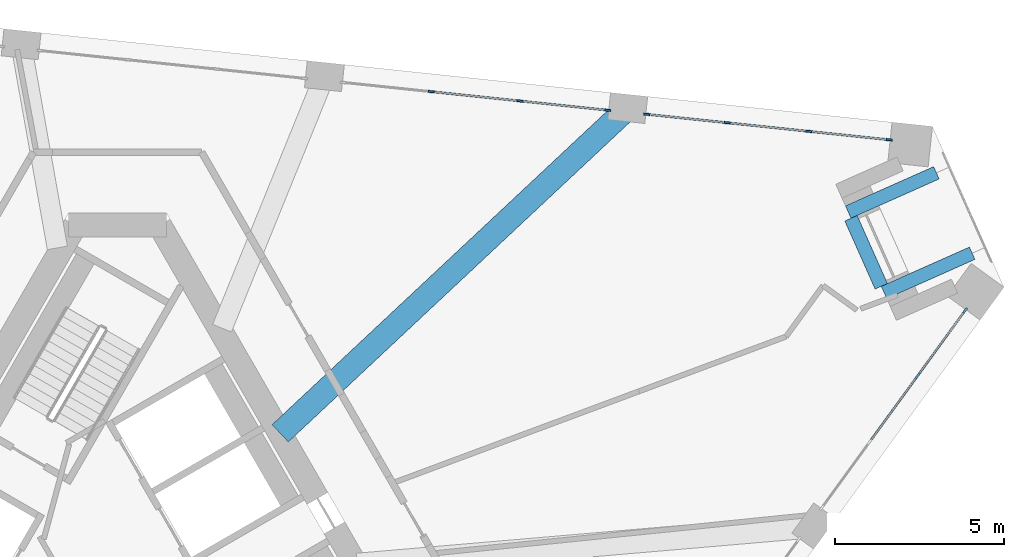
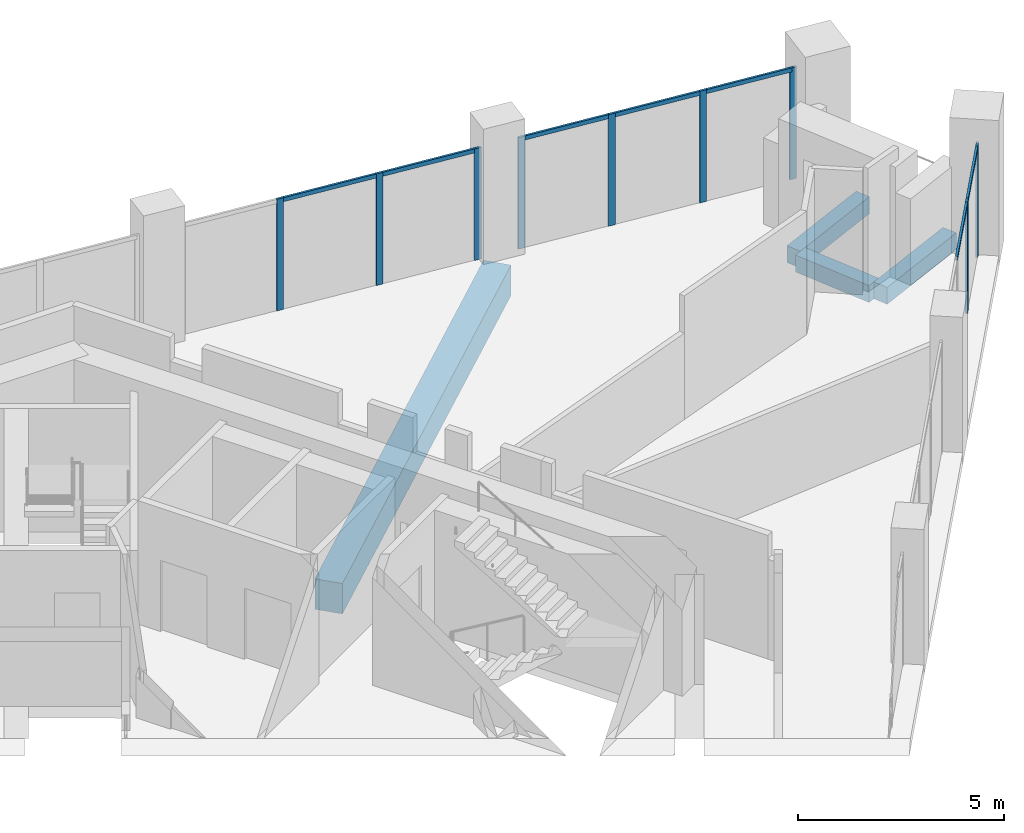
# One storey, part 6 of 15: 16 members, 4 beams, 3 elements without a shape of their own.
"""IFC4 building model written with IfcOpenShell, lengths in metres."""

from ifc_helpers import new_model, si_unit, direction, frame, origin, origin_2d, place, context, subcontext, project, spatial, rectangle, extrude, material, layer, layer_set, material_profile, profile_set, type_object, element, aggregate, save


model = new_model("IFC4")

# Units and contexts
model_context = context("Model", 3, precision=1e-05, world=origin(), true_north=direction((0.0, 1.0)))
body_context = subcontext(model_context, "Body", "Model", "MODEL_VIEW")
ifc_project = project(units=[si_unit("LENGTHUNIT", "METRE"), si_unit("AREAUNIT", "SQUARE_METRE"), si_unit("VOLUMEUNIT", "CUBIC_METRE"), si_unit("PLANEANGLEUNIT", "RADIAN"), si_unit("MASSUNIT", "GRAM", prefix="KILO")], contexts=[model_context])

# Site, building, storey
site_placement = place(None, origin())
site = spatial("IfcSite", under=ifc_project, at=site_placement, CompositionType="ELEMENT")
building_placement = place(site_placement, origin())
building = spatial("IfcBuilding", under=site, at=building_placement, Name="Tramontana Tower", CompositionType="ELEMENT")
storey_placement = place(building_placement, frame((0.0, 0.0, 237.199951171875)))
storey = spatial("IfcBuildingStorey", under=building, at=storey_placement, Name="L55", CompositionType="ELEMENT", Elevation=237.199951171875)

# Curtain wall, members
ifc_material_1 = material(Name="Aluminum extrusion", Category="aluminium")
ifc_layer = layer(ifc_material_1, 0.14990234375)
ifc_layer_set = layer_set([ifc_layer], Name="CW4 Sky lobby 2 curtain wall")
curtain_wall_type = type_object("IfcCurtainWallType", Name="CW4 Sky lobby 2 curtain wall", PredefinedType="NOTDEFINED", material=ifc_layer_set)
curtain_wall_1_placement = place(storey_placement, origin())
curtain_wall_1 = element("IfcCurtainWall", 1, at=curtain_wall_1_placement, inside=storey, type_object=curtain_wall_type, Name="CW4 curtain wall L55 face 1 bay 5", PredefinedType="NOTDEFINED")
ifc_material_2 = material(Name="Aluminum extrusion", Category="aluminium")
ifc_material_profile_1 = material_profile(ifc_material_2, rectangle(XDim=0.06005859375, YDim=0.179931640625, at=origin_2d()), Name="CW4-M Mullion 60 x 180")
ifc_profile_set_1 = profile_set([ifc_material_profile_1], Name="Aluminum extrusion")
member_type_1 = type_object("IfcMemberType", Name="CW4-M Mullion 60 x 180", PredefinedType="MULLION", material=ifc_profile_set_1)
member_1_placement = place(storey_placement, frame((23.62744140625, 6.192626953125, 0.0), z_axis=(0.0, 0.0, 1.0), x_axis=(-0.809016994375, 0.587785252292, 0.0)))
member_1 = element("IfcMember", 2, at=member_1_placement, type_object=member_type_1, Name="CW4 curtain wall L55 face 1 bay 5 mullion 3", PredefinedType="MULLION", context=body_context, shape_type="SweptSolid", body=[
    extrude(rectangle(XDim=0.06005859375, YDim=0.179931640625, at=origin_2d()), origin(), (0.0, 0.0, 1.0), 3.300048828125),
])
member_2_placement = place(storey_placement, frame((25.031494140625, 8.125244140625, 0.0), z_axis=(0.0, 0.0, 1.0), x_axis=(-0.809016994375, 0.587785252292, 0.0)))
member_2 = element("IfcMember", 3, at=member_2_placement, type_object=member_type_1, Name="CW4 curtain wall L55 face 1 bay 5 mullion 4", PredefinedType="MULLION", context=body_context, shape_type="SweptSolid", body=[
    extrude(rectangle(XDim=0.06005859375, YDim=0.179931640625, at=origin_2d()), origin(), (0.0, 0.0, 1.0), 3.300048828125),
])

curtain_wall_2_placement = place(storey_placement, origin())
curtain_wall_2 = element("IfcCurtainWall", 4, at=curtain_wall_2_placement, inside=storey, type_object=curtain_wall_type, Name="CW4 curtain wall L55 face 2 bay 1", PredefinedType="NOTDEFINED")
member_3_placement = place(storey_placement, frame((22.78759765625, 13.165283203125, 0.0), z_axis=(0.0, 0.0, 1.0), x_axis=(-0.104528463268, -0.994521895368, 0.0)))
member_3 = element("IfcMember", 5, at=member_3_placement, type_object=member_type_1, Name="CW4 curtain wall L55 face 2 bay 1 mullion 1", PredefinedType="MULLION", context=body_context, shape_type="SweptSolid", body=[
    extrude(rectangle(XDim=0.06005859375, YDim=0.179931640625, at=origin_2d()), origin(), (0.0, 0.0, 1.0), 3.300048828125),
])
member_4_placement = place(storey_placement, frame((20.411865234375, 13.414794921875, 0.0), z_axis=(0.0, 0.0, 1.0), x_axis=(-0.104528463268, -0.994521895368, 0.0)))
member_4 = element("IfcMember", 6, at=member_4_placement, type_object=member_type_1, Name="CW4 curtain wall L55 face 2 bay 1 mullion 2", PredefinedType="MULLION", context=body_context, shape_type="SweptSolid", body=[
    extrude(rectangle(XDim=0.06005859375, YDim=0.179931640625, at=origin_2d()), origin(), (0.0, 0.0, 1.0), 3.300048828125),
])
member_5_placement = place(storey_placement, frame((18.006103515625, 13.667724609375, 0.0), z_axis=(0.0, 0.0, 1.0), x_axis=(-0.104528463268, -0.994521895368, 0.0)))
member_5 = element("IfcMember", 7, at=member_5_placement, type_object=member_type_1, Name="CW4 curtain wall L55 face 2 bay 1 mullion 3", PredefinedType="MULLION", context=body_context, shape_type="SweptSolid", body=[
    extrude(rectangle(XDim=0.06005859375, YDim=0.179931640625, at=origin_2d()), origin(), (0.0, 0.0, 1.0), 3.300048828125),
])
member_6_placement = place(storey_placement, frame((15.63037109375, 13.91748046875, 0.0), z_axis=(0.0, 0.0, 1.0), x_axis=(-0.104528463268, -0.994521895368, 0.0)))
member_6 = element("IfcMember", 8, at=member_6_placement, type_object=member_type_1, Name="CW4 curtain wall L55 face 2 bay 1 mullion 4", PredefinedType="MULLION", context=body_context, shape_type="SweptSolid", body=[
    extrude(rectangle(XDim=0.06005859375, YDim=0.179931640625, at=origin_2d()), origin(), (0.0, 0.0, 1.0), 3.300048828125),
])

curtain_wall_3_placement = place(storey_placement, origin())
curtain_wall_3 = element("IfcCurtainWall", 9, at=curtain_wall_3_placement, inside=storey, type_object=curtain_wall_type, Name="CW4 curtain wall L55 face 2 bay 2", PredefinedType="NOTDEFINED")
member_7_placement = place(storey_placement, frame((14.476806640625, 14.03857421875, 0.0), z_axis=(0.0, 0.0, 1.0), x_axis=(-0.104528463268, -0.994521895368, 0.0)))
member_7 = element("IfcMember", 10, at=member_7_placement, type_object=member_type_1, Name="CW4 curtain wall L55 face 2 bay 2 mullion 1", PredefinedType="MULLION", context=body_context, shape_type="SweptSolid", body=[
    extrude(rectangle(XDim=0.06005859375, YDim=0.179931640625, at=origin_2d()), origin(), (0.0, 0.0, 1.0), 3.300048828125),
])
member_8_placement = place(storey_placement, frame((11.885498046875, 14.31103515625, 0.0), z_axis=(0.0, 0.0, 1.0), x_axis=(-0.104528463268, -0.994521895368, 0.0)))
member_8 = element("IfcMember", 11, at=member_8_placement, type_object=member_type_1, Name="CW4 curtain wall L55 face 2 bay 2 mullion 2", PredefinedType="MULLION", context=body_context, shape_type="SweptSolid", body=[
    extrude(rectangle(XDim=0.06005859375, YDim=0.179931640625, at=origin_2d()), origin(), (0.0, 0.0, 1.0), 3.300048828125),
])
member_9_placement = place(storey_placement, frame((9.264404296875, 14.58642578125, 0.0), z_axis=(0.0, 0.0, 1.0), x_axis=(-0.104528463268, -0.994521895368, 0.0)))
member_9 = element("IfcMember", 12, at=member_9_placement, type_object=member_type_1, Name="CW4 curtain wall L55 face 2 bay 2 mullion 3", PredefinedType="MULLION", context=body_context, shape_type="SweptSolid", body=[
    extrude(rectangle(XDim=0.06005859375, YDim=0.179931640625, at=origin_2d()), origin(), (0.0, 0.0, 1.0), 3.300048828125),
])

# Member
ifc_material_3 = material(Name="Aluminum extrusion", Category="aluminium")
ifc_material_profile_2 = material_profile(ifc_material_3, rectangle(XDim=0.06005859375, YDim=0.1201171875, at=origin_2d()), Name="CW4-T Transom 60 x 120")
ifc_profile_set_2 = profile_set([ifc_material_profile_2], Name="Aluminum extrusion")
member_type_2 = type_object("IfcMemberType", Name="CW4-T Transom 60 x 120", PredefinedType="USERDEFINED", material=ifc_profile_set_2)
member_10_placement = place(storey_placement, frame((22.22314453125, 4.260009765625, 3.239990234375), z_axis=(0.587759311673, 0.809035840703, 0.0), x_axis=(-0.809035840703, 0.587759311673, 0.0)))
member_10 = element("IfcMember", 13, at=member_10_placement, type_object=member_type_2, Name="CW4 curtain wall L55 face 1 bay 5 transom 2.1", ObjectType="TRANSOM", PredefinedType="USERDEFINED", context=body_context, shape_type="SweptSolid", body=[
    extrude(rectangle(XDim=0.06005859375, YDim=0.1201171875, at=origin_2d()), origin(), (0.0, 0.0, 1.0), 2.35888671875),
])

member_11_placement = place(storey_placement, frame((23.64501953125, 6.216796875, 3.239990234375), z_axis=(0.587754018955, 0.809039685802, 0.0), x_axis=(-0.809039685802, 0.587754018955, 0.0)))
member_11 = element("IfcMember", 14, at=member_11_placement, type_object=member_type_2, Name="CW4 curtain wall L55 face 1 bay 5 transom 3.1", ObjectType="TRANSOM", PredefinedType="USERDEFINED", context=body_context, shape_type="SweptSolid", body=[
    extrude(rectangle(XDim=0.06005859375, YDim=0.1201171875, at=origin_2d()), origin(), (0.0, 0.0, 1.0), 2.3291015625),
])

aggregate(curtain_wall_1, [member_1, member_2, member_10, member_11])

member_12_placement = place(storey_placement, frame((22.7578125, 13.168212890625, 3.239990234375), z_axis=(-0.994523245292, 0.1045156188, 0.0), x_axis=(-0.1045156188, -0.994523245292, 0.0)))
member_12 = element("IfcMember", 15, at=member_12_placement, type_object=member_type_2, Name="CW4 curtain wall L55 face 2 bay 1 transom 1.1", ObjectType="TRANSOM", PredefinedType="USERDEFINED", context=body_context, shape_type="SweptSolid", body=[
    extrude(rectangle(XDim=0.06005859375, YDim=0.1201171875, at=origin_2d()), origin(), (0.0, 0.0, 1.0), 2.328857421875),
])

member_13_placement = place(storey_placement, frame((20.382080078125, 13.41796875, 3.239990234375), z_axis=(-0.99452132077, 0.104533930063, 0.0), x_axis=(-0.104533930063, -0.99452132077, 0.0)))
member_13 = element("IfcMember", 16, at=member_13_placement, type_object=member_type_2, Name="CW4 curtain wall L55 face 2 bay 1 transom 2.1", ObjectType="TRANSOM", PredefinedType="USERDEFINED", context=body_context, shape_type="SweptSolid", body=[
    extrude(rectangle(XDim=0.06005859375, YDim=0.1201171875, at=origin_2d()), origin(), (0.0, 0.0, 1.0), 2.35888671875),
])

member_14_placement = place(storey_placement, frame((17.976318359375, 13.6708984375, 3.239990234375), z_axis=(-0.994523245292, 0.1045156188, 0.0), x_axis=(-0.1045156188, -0.994523245292, 0.0)))
member_14 = element("IfcMember", 17, at=member_14_placement, type_object=member_type_2, Name="CW4 curtain wall L55 face 2 bay 1 transom 3.1", ObjectType="TRANSOM", PredefinedType="USERDEFINED", context=body_context, shape_type="SweptSolid", body=[
    extrude(rectangle(XDim=0.06005859375, YDim=0.1201171875, at=origin_2d()), origin(), (0.0, 0.0, 1.0), 2.328857421875),
])

aggregate(curtain_wall_2, [member_3, member_4, member_5, member_6, member_12, member_13, member_14])

member_15_placement = place(storey_placement, frame((14.447021484375, 14.041748046875, 3.239990234375), z_axis=(-0.994521206634, 0.104535015934, 0.0), x_axis=(-0.104535015934, -0.994521206634, 0.0)))
member_15 = element("IfcMember", 18, at=member_15_placement, type_object=member_type_2, Name="CW4 curtain wall L55 face 2 bay 2 transom 1.1", ObjectType="TRANSOM", PredefinedType="USERDEFINED", context=body_context, shape_type="SweptSolid", body=[
    extrude(rectangle(XDim=0.06005859375, YDim=0.1201171875, at=origin_2d()), origin(), (0.0, 0.0, 1.0), 2.545654296875),
])

member_16_placement = place(storey_placement, frame((11.855712890625, 14.314208984375, 3.239990234375), z_axis=(-0.994519467481, 0.104551560487, 0.0), x_axis=(-0.104551560487, -0.994519467481, 0.0)))
member_16 = element("IfcMember", 19, at=member_16_placement, type_object=member_type_2, Name="CW4 curtain wall L55 face 2 bay 2 transom 2.1", ObjectType="TRANSOM", PredefinedType="USERDEFINED", context=body_context, shape_type="SweptSolid", body=[
    extrude(rectangle(XDim=0.06005859375, YDim=0.1201171875, at=origin_2d()), origin(), (0.0, 0.0, 1.0), 2.57568359375),
])

aggregate(curtain_wall_3, [member_7, member_8, member_9, member_15, member_16])

# Beams
ifc_material_4 = material(Name="Concrete 40 MPa", Category="concrete")
ifc_material_profile_3 = material_profile(ifc_material_4, rectangle(XDim=0.699951171875, YDim=0.89990234375, at=origin_2d()), Name="RC GIRDER 700X900 40 MPa")
ifc_profile_set_3 = profile_set([ifc_material_profile_3], Name="Concrete 40 MPa")
beam_type_1 = type_object("IfcBeamType", Name="RC GIRDER 700X900 40 MPa", PredefinedType="BEAM", material=ifc_profile_set_3)
beam_1_placement = place(storey_placement, frame((15.066650390625, 14.102294921875, -0.800048828125), z_axis=(-0.730089981105, -0.683351022162, 0.0), x_axis=(0.683351022162, -0.730089981105, 0.0)))
element("IfcBeam", 20, at=beam_1_placement, inside=storey, type_object=beam_type_1, Name="Radial girder C6F09 L55", PredefinedType="BEAM", context=body_context, shape_type="SweptSolid", body=[
    extrude(rectangle(XDim=0.699951171875, YDim=0.89990234375, at=origin_2d()), origin(), (0.0, 0.0, 1.0), 14.056396484375),
])
ifc_material_5 = material(Name="Concrete 40 MPa", Category="concrete")
ifc_material_profile_4 = material_profile(ifc_material_5, rectangle(XDim=0.39990234375, YDim=0.5, at=origin_2d()), Name="RC TRIM BEAM 400X500 40 MPa")
ifc_profile_set_4 = profile_set([ifc_material_profile_4], Name="Concrete 40 MPa")
beam_type_2 = type_object("IfcBeamType", Name="RC TRIM BEAM 400X500 40 MPa", PredefinedType="JOIST", material=ifc_profile_set_4)
beam_2_placement = place(storey_placement, frame((22.55517578125, 8.838134765625, -0.599853515625), z_axis=(-0.406725294076, 0.913550510459, 0.0), x_axis=(-0.913550510459, -0.406725294076, 0.0)))
element("IfcBeam", 21, at=beam_2_placement, inside=storey, type_object=beam_type_2, Name="Trimmer beam K2 L55", PredefinedType="JOIST", context=body_context, shape_type="SweptSolid", body=[
    extrude(rectangle(XDim=0.39990234375, YDim=0.5, at=origin_2d()), origin(), (0.0, 0.0, 1.0), 2.199951171875),
])
for number, where, z_axis, x_axis, name in (
    (22, (25.240234375, 9.814697265625, -0.599853515625), (-0.913542869756, -0.406742455514, 0.0), (0.406742455514, -0.913542869756, 0.0), "Tray beam K2L L55"),
    (23, (24.1826171875, 12.189697265625, -0.599853515625), (-0.913542869756, -0.406742455514, 0.0), (0.406742455514, -0.913542869756, 0.0), "Tray beam K2R L55"),
):
    element("IfcBeam", number, at=place(storey_placement, frame(where, z_axis=z_axis, x_axis=x_axis)), inside=storey, type_object=beam_type_2, Name=name, PredefinedType="JOIST", context=body_context, shape_type="SweptSolid", body=[
        extrude(rectangle(XDim=0.39990234375, YDim=0.5, at=origin_2d()), origin(), (0.0, 0.0, 1.0), 2.849853515625),
    ])

save(model, "model.ifc")
